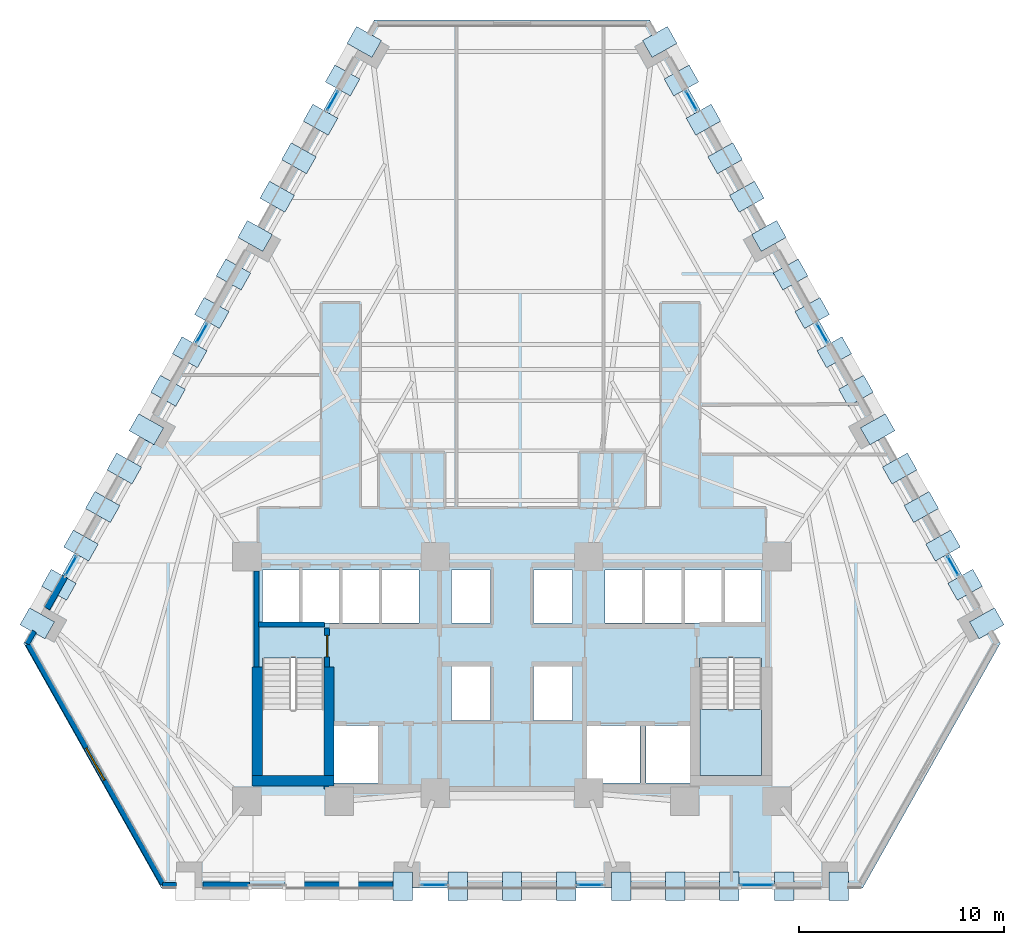
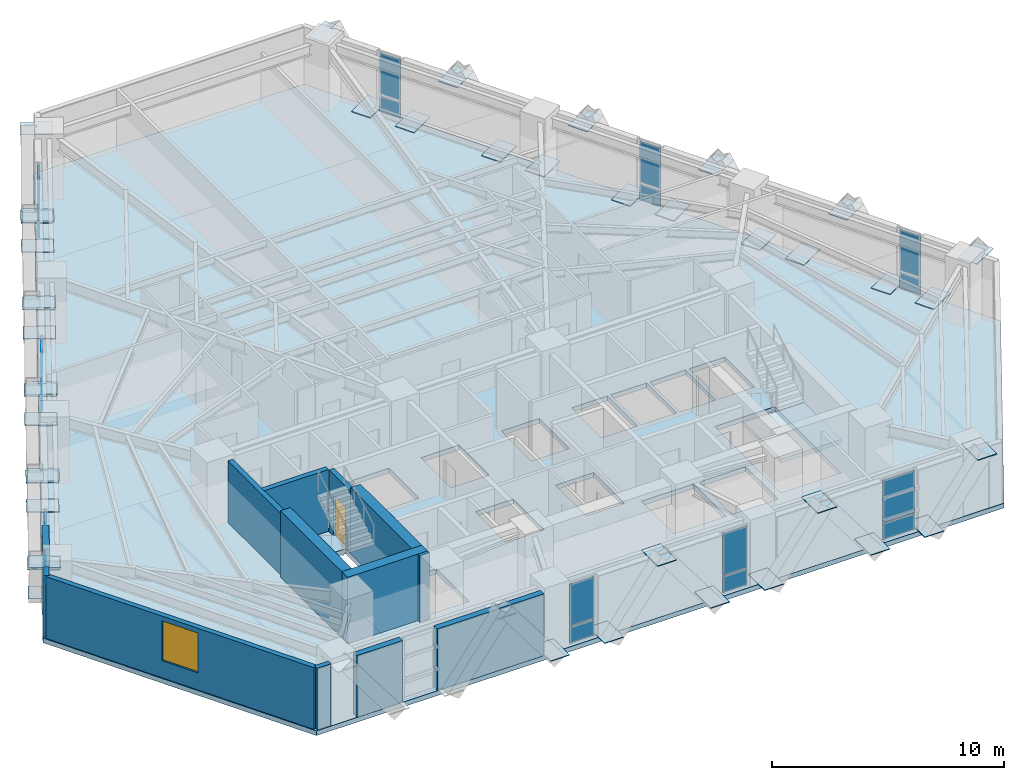
# One storey, part 6 of 13: 59 plates, 12 walls, 2 slabs, 1 door, 1 window, 2 openings, 10 elements without a shape of their own.
"""IFC4 building model written with IfcOpenShell, lengths in metres."""

from ifc_helpers import new_model, si_unit, direction, frame, frame_2d, origin, origin_2d, place, context, subcontext, project, spatial, polyline, rectangle, outline, extrude, material, layer, layer_set, type_object, element, fill, aggregate, save


model = new_model("IFC4")

# Units and contexts
model_context = context("Model", 3, precision=1e-05, world=origin(), true_north=direction((0.0, 1.0)))
body_context = subcontext(model_context, "Body", "Model", "MODEL_VIEW")
ifc_project = project(units=[si_unit("LENGTHUNIT", "METRE"), si_unit("AREAUNIT", "SQUARE_METRE"), si_unit("VOLUMEUNIT", "CUBIC_METRE"), si_unit("PLANEANGLEUNIT", "RADIAN"), si_unit("MASSUNIT", "GRAM", prefix="KILO")], contexts=[model_context])

# Site, building, storey
site_placement = place(None, origin())
site = spatial("IfcSite", under=ifc_project, at=site_placement, CompositionType="ELEMENT")
building_placement = place(site_placement, origin())
building = spatial("IfcBuilding", under=site, at=building_placement, Name="Quenlor Broadcast Tower", CompositionType="ELEMENT")
storey_placement = place(building_placement, frame((0.0, 0.0, 66.10009765625)))
storey = spatial("IfcBuildingStorey", under=building, at=storey_placement, Name="L17", CompositionType="ELEMENT", Elevation=66.10009765625)

# Curtain wall, plates
ifc_material_1 = material(Name="Architectural Terracotta and Low-E Glazing", Category="masonry")
curtain_wall_type = type_object("IfcCurtainWallType", Name="Unitised Terracotta Curtain Wall System Z1", PredefinedType="NOTDEFINED", material=ifc_material_1)
curtain_wall_1_placement = place(storey_placement, origin())
curtain_wall_1 = element("IfcCurtainWall", 1, at=curtain_wall_1_placement, inside=storey, type_object=curtain_wall_type, Name="L17 Curtain Wall CW1 (L17-SA-G1)", PredefinedType="NOTDEFINED")
ifc_material_2 = material(Name="Double Glazed Low-E Solar Glass", Category="glass")
ifc_layer_1 = layer(ifc_material_2, 0.031982421875)
ifc_layer_set_1 = layer_set([ifc_layer_1], Name="CW1 Double Glazed Vision Panel 32")
plate_type_1 = type_object("IfcPlateType", Name="CW1 Double Glazed Vision Panel 32", PredefinedType="CURTAIN_PANEL", material=ifc_layer_set_1)
plate_1_placement = place(storey_placement, frame((11.970703125, -20.840087890625, 0.079833984375), z_axis=(0.0, 0.0, 1.0), x_axis=(-1.0, 0.0, 0.0)))
plate_1 = element("IfcPlate", 2, at=plate_1_placement, type_object=plate_type_1, Name="CW1 panel 1.1", PredefinedType="CURTAIN_PANEL", context=body_context, shape_type="SweptSolid", body=[
    extrude(rectangle(XDim=1.568359375, YDim=0.031982421875, at=origin_2d()), origin(), (0.0, 0.0, 1.0), 0.830078125),
])
plate_2_placement = place(storey_placement, frame((11.970703125, -20.840087890625, 0.98974609375), z_axis=(0.0, 0.0, 1.0), x_axis=(-1.0, 0.0, 0.0)))
plate_2 = element("IfcPlate", 3, at=plate_2_placement, type_object=plate_type_1, Name="CW1 panel 1.2", PredefinedType="CURTAIN_PANEL", context=body_context, shape_type="SweptSolid", body=[
    extrude(rectangle(XDim=1.568359375, YDim=0.031982421875, at=origin_2d()), origin(), (0.0, 0.0, 1.0), 2.179931640625),
])
aggregate(curtain_wall_1, [plate_1, plate_2])

curtain_wall_2_placement = place(storey_placement, origin())
curtain_wall_2 = element("IfcCurtainWall", 4, at=curtain_wall_2_placement, inside=storey, type_object=curtain_wall_type, Name="L17 Curtain Wall CW1 (L17-S-G1)", PredefinedType="NOTDEFINED")
plate_3_placement = place(storey_placement, frame((3.81103515625, -20.840087890625, 0.079833984375), z_axis=(0.0, 0.0, 1.0), x_axis=(-1.0, 0.0, 0.0)))
plate_3 = element("IfcPlate", 5, at=plate_3_placement, type_object=plate_type_1, Name="CW1 panel 1.1", PredefinedType="CURTAIN_PANEL", context=body_context, shape_type="SweptSolid", body=[
    extrude(rectangle(XDim=1.209716796875, YDim=0.031982421875, at=origin_2d()), origin(), (0.0, 0.0, 1.0), 0.830078125),
])
plate_4_placement = place(storey_placement, frame((3.81103515625, -20.840087890625, 0.98974609375), z_axis=(0.0, 0.0, 1.0), x_axis=(-1.0, 0.0, 0.0)))
plate_4 = element("IfcPlate", 6, at=plate_4_placement, type_object=plate_type_1, Name="CW1 panel 1.2", PredefinedType="CURTAIN_PANEL", context=body_context, shape_type="SweptSolid", body=[
    extrude(rectangle(XDim=1.209716796875, YDim=0.031982421875, at=origin_2d()), origin(), (0.0, 0.0, 1.0), 2.179931640625),
])
aggregate(curtain_wall_2, [plate_3, plate_4])

curtain_wall_3_placement = place(storey_placement, origin())
curtain_wall_3 = element("IfcCurtainWall", 7, at=curtain_wall_3_placement, inside=storey, type_object=curtain_wall_type, Name="L17 Curtain Wall CW1 (L17-S-G2)", PredefinedType="NOTDEFINED")
plate_5_placement = place(storey_placement, frame((-3.81103515625, -20.840087890625, 0.079833984375), z_axis=(0.0, 0.0, 1.0), x_axis=(-1.0, 0.0, 0.0)))
plate_5 = element("IfcPlate", 8, at=plate_5_placement, type_object=plate_type_1, Name="CW1 panel 1.1", PredefinedType="CURTAIN_PANEL", context=body_context, shape_type="SweptSolid", body=[
    extrude(rectangle(XDim=1.209716796875, YDim=0.031982421875, at=origin_2d()), origin(), (0.0, 0.0, 1.0), 0.830078125),
])
plate_6_placement = place(storey_placement, frame((-3.81103515625, -20.840087890625, 0.98974609375), z_axis=(0.0, 0.0, 1.0), x_axis=(-1.0, 0.0, 0.0)))
plate_6 = element("IfcPlate", 9, at=plate_6_placement, type_object=plate_type_1, Name="CW1 panel 1.2", PredefinedType="CURTAIN_PANEL", context=body_context, shape_type="SweptSolid", body=[
    extrude(rectangle(XDim=1.209716796875, YDim=0.031982421875, at=origin_2d()), origin(), (0.0, 0.0, 1.0), 2.179931640625),
])
aggregate(curtain_wall_3, [plate_5, plate_6])

curtain_wall_4_placement = place(storey_placement, origin())
curtain_wall_4 = element("IfcCurtainWall", 10, at=curtain_wall_4_placement, inside=storey, type_object=curtain_wall_type, Name="L17 Curtain Wall CW1 (L17-NEA-G1)", PredefinedType="NOTDEFINED")
plate_7_placement = place(storey_placement, frame((8.766845703125, 17.48779296875, 0.079833984375), z_axis=(0.0, 0.0, 1.0), x_axis=(0.490214053392, -0.871602077703, 0.0)))
plate_7 = element("IfcPlate", 11, at=plate_7_placement, type_object=plate_type_1, Name="CW1 panel 1.1", PredefinedType="CURTAIN_PANEL", context=body_context, shape_type="SweptSolid", body=[
    extrude(rectangle(XDim=1.04736328125, YDim=0.031982421875, at=origin_2d()), origin(), (0.0, 0.0, 1.0), 0.830078125),
])
plate_8_placement = place(storey_placement, frame((8.766845703125, 17.48779296875, 0.98974609375), z_axis=(0.0, 0.0, 1.0), x_axis=(0.490214053392, -0.871602077703, 0.0)))
plate_8 = element("IfcPlate", 12, at=plate_8_placement, type_object=plate_type_1, Name="CW1 panel 1.2", PredefinedType="CURTAIN_PANEL", context=body_context, shape_type="SweptSolid", body=[
    extrude(rectangle(XDim=1.04736328125, YDim=0.031982421875, at=origin_2d()), origin(), (0.0, 0.0, 1.0), 2.179931640625),
])
aggregate(curtain_wall_4, [plate_7, plate_8])

curtain_wall_5_placement = place(storey_placement, origin())
curtain_wall_5 = element("IfcCurtainWall", 13, at=curtain_wall_5_placement, inside=storey, type_object=curtain_wall_type, Name="L17 Curtain Wall CW1 (L17-NEC-G1)", PredefinedType="NOTDEFINED")
plate_9_placement = place(storey_placement, frame((21.553955078125, -5.24462890625, 0.079833984375), z_axis=(0.0, 0.0, 1.0), x_axis=(0.490214053392, -0.871602077703, 0.0)))
plate_9 = element("IfcPlate", 14, at=plate_9_placement, type_object=plate_type_1, Name="CW1 panel 1.1", PredefinedType="CURTAIN_PANEL", context=body_context, shape_type="SweptSolid", body=[
    extrude(rectangle(XDim=1.04736328125, YDim=0.031982421875, at=origin_2d()), origin(), (0.0, 0.0, 1.0), 0.830078125),
])
plate_10_placement = place(storey_placement, frame((21.553955078125, -5.24462890625, 0.98974609375), z_axis=(0.0, 0.0, 1.0), x_axis=(0.490214053392, -0.871602077703, 0.0)))
plate_10 = element("IfcPlate", 15, at=plate_10_placement, type_object=plate_type_1, Name="CW1 panel 1.2", PredefinedType="CURTAIN_PANEL", context=body_context, shape_type="SweptSolid", body=[
    extrude(rectangle(XDim=1.04736328125, YDim=0.031982421875, at=origin_2d()), origin(), (0.0, 0.0, 1.0), 2.179931640625),
])
aggregate(curtain_wall_5, [plate_9, plate_10])

curtain_wall_6_placement = place(storey_placement, origin())
curtain_wall_6 = element("IfcCurtainWall", 16, at=curtain_wall_6_placement, inside=storey, type_object=curtain_wall_type, Name="L17 Curtain Wall CW1 (L17-NE-G1)", PredefinedType="NOTDEFINED")
plate_11_placement = place(storey_placement, frame((15.160400390625, 6.12158203125, 0.079833984375), z_axis=(0.0, 0.0, 1.0), x_axis=(0.49027696742, -0.871566690057, 0.0)))
plate_11 = element("IfcPlate", 17, at=plate_11_placement, type_object=plate_type_1, Name="CW1 panel 1.1", PredefinedType="CURTAIN_PANEL", context=body_context, shape_type="SweptSolid", body=[
    extrude(rectangle(XDim=1.04736328125, YDim=0.031982421875, at=origin_2d()), origin(), (0.0, 0.0, 1.0), 0.830078125),
])
plate_12_placement = place(storey_placement, frame((15.160400390625, 6.12158203125, 0.98974609375), z_axis=(0.0, 0.0, 1.0), x_axis=(0.49027696742, -0.871566690057, 0.0)))
plate_12 = element("IfcPlate", 18, at=plate_12_placement, type_object=plate_type_1, Name="CW1 panel 1.2", PredefinedType="CURTAIN_PANEL", context=body_context, shape_type="SweptSolid", body=[
    extrude(rectangle(XDim=1.04736328125, YDim=0.031982421875, at=origin_2d()), origin(), (0.0, 0.0, 1.0), 2.179931640625),
])
aggregate(curtain_wall_6, [plate_11, plate_12])

curtain_wall_7_placement = place(storey_placement, origin())
curtain_wall_7 = element("IfcCurtainWall", 19, at=curtain_wall_7_placement, inside=storey, type_object=curtain_wall_type, Name="L17 Curtain Wall CW1 (L17-NWA-G1)", PredefinedType="NOTDEFINED")
plate_13_placement = place(storey_placement, frame((-21.553955078125, -5.24462890625, 0.079833984375), z_axis=(0.0, 0.0, 1.0), x_axis=(0.490214053392, 0.871602077703, 0.0)))
plate_13 = element("IfcPlate", 20, at=plate_13_placement, type_object=plate_type_1, Name="CW1 panel 1.1", PredefinedType="CURTAIN_PANEL", context=body_context, shape_type="SweptSolid", body=[
    extrude(rectangle(XDim=1.04736328125, YDim=0.031982421875, at=origin_2d()), origin(), (0.0, 0.0, 1.0), 0.830078125),
])
plate_14_placement = place(storey_placement, frame((-21.553955078125, -5.24462890625, 0.98974609375), z_axis=(0.0, 0.0, 1.0), x_axis=(0.490214053392, 0.871602077703, 0.0)))
plate_14 = element("IfcPlate", 21, at=plate_14_placement, type_object=plate_type_1, Name="CW1 panel 1.2", PredefinedType="CURTAIN_PANEL", context=body_context, shape_type="SweptSolid", body=[
    extrude(rectangle(XDim=1.04736328125, YDim=0.031982421875, at=origin_2d()), origin(), (0.0, 0.0, 1.0), 2.179931640625),
])
aggregate(curtain_wall_7, [plate_13, plate_14])

curtain_wall_8_placement = place(storey_placement, origin())
curtain_wall_8 = element("IfcCurtainWall", 22, at=curtain_wall_8_placement, inside=storey, type_object=curtain_wall_type, Name="L17 Curtain Wall CW1 (L17-NWC-G1)", PredefinedType="NOTDEFINED")
plate_15_placement = place(storey_placement, frame((-8.766845703125, 17.48779296875, 0.079833984375), z_axis=(0.0, 0.0, 1.0), x_axis=(0.490214053392, 0.871602077703, 0.0)))
plate_15 = element("IfcPlate", 23, at=plate_15_placement, type_object=plate_type_1, Name="CW1 panel 1.1", PredefinedType="CURTAIN_PANEL", context=body_context, shape_type="SweptSolid", body=[
    extrude(rectangle(XDim=1.04736328125, YDim=0.031982421875, at=origin_2d()), origin(), (0.0, 0.0, 1.0), 0.830078125),
])
plate_16_placement = place(storey_placement, frame((-8.766845703125, 17.48779296875, 0.98974609375), z_axis=(0.0, 0.0, 1.0), x_axis=(0.490214053392, 0.871602077703, 0.0)))
plate_16 = element("IfcPlate", 24, at=plate_16_placement, type_object=plate_type_1, Name="CW1 panel 1.2", PredefinedType="CURTAIN_PANEL", context=body_context, shape_type="SweptSolid", body=[
    extrude(rectangle(XDim=1.04736328125, YDim=0.031982421875, at=origin_2d()), origin(), (0.0, 0.0, 1.0), 2.179931640625),
])
aggregate(curtain_wall_8, [plate_15, plate_16])

curtain_wall_9_placement = place(storey_placement, origin())
curtain_wall_9 = element("IfcCurtainWall", 25, at=curtain_wall_9_placement, inside=storey, type_object=curtain_wall_type, Name="L17 Curtain Wall CW1 (L17-NW-G1)", PredefinedType="NOTDEFINED")
plate_17_placement = place(storey_placement, frame((-15.160400390625, 6.12158203125, 0.079833984375), z_axis=(0.0, 0.0, 1.0), x_axis=(0.49027696742, 0.871566690057, 0.0)))
plate_17 = element("IfcPlate", 26, at=plate_17_placement, type_object=plate_type_1, Name="CW1 panel 1.1", PredefinedType="CURTAIN_PANEL", context=body_context, shape_type="SweptSolid", body=[
    extrude(rectangle(XDim=1.04736328125, YDim=0.031982421875, at=origin_2d()), origin(), (0.0, 0.0, 1.0), 0.830078125),
])
plate_18_placement = place(storey_placement, frame((-15.160400390625, 6.12158203125, 0.98974609375), z_axis=(0.0, 0.0, 1.0), x_axis=(0.49027696742, 0.871566690057, 0.0)))
plate_18 = element("IfcPlate", 27, at=plate_18_placement, type_object=plate_type_1, Name="CW1 panel 1.2", PredefinedType="CURTAIN_PANEL", context=body_context, shape_type="SweptSolid", body=[
    extrude(rectangle(XDim=1.04736328125, YDim=0.031982421875, at=origin_2d()), origin(), (0.0, 0.0, 1.0), 2.179931640625),
])
aggregate(curtain_wall_9, [plate_17, plate_18])

# Stair, slab
ifc_material_3 = material(Name="Precast concrete C40/50", Category="concrete")
stair_type = type_object("IfcStairType", Name="Precast Concrete C40/50 Dogleg Stair H350", PredefinedType="HALF_TURN_STAIR", material=ifc_material_3)
stair_placement = place(storey_placement, origin())
stair = element("IfcStair", 28, at=stair_placement, inside=storey, type_object=stair_type, Name="L17 East Core Fire-Isolated Exit Stair ST-2", PredefinedType="HALF_TURN_STAIR")
ifc_material_4 = material(Name="Precast concrete C40/50", Category="concrete")
ifc_layer_2 = layer(ifc_material_4, 0.199951171875)
ifc_layer_set_2 = layer_set([ifc_layer_2], Name="Precast Concrete C40/50 Stair Landing Slab 200")
slab_type_1 = type_object("IfcSlabType", Name="Precast Concrete C40/50 Stair Landing Slab 200", PredefinedType="LANDING", material=ifc_layer_set_2)
slab_1_placement = place(storey_placement, frame((0.0, 0.0, 1.5498046875)))
slab_1 = element("IfcSlab", 29, at=slab_1_placement, type_object=slab_type_1, Name="ST-2 landing 1", PredefinedType="LANDING", context=body_context, shape_type="SweptSolid", body=[
    extrude(outline(polyline([(9.199951171875, -12.27001953125), (9.199951171875, -15.5), (12.199951171875, -15.5), (12.199951171875, -12.27001953125), (9.199951171875, -12.27001953125)])), origin(), (0.0, 0.0, 1.0), 0.2001953125),
])
aggregate(stair, [slab_1])

# Slab
ifc_material_5 = material(Name="Concrete C40/50", Category="concrete")
ifc_layer_3 = layer(ifc_material_5, 0.25)
ifc_layer_set_3 = layer_set([ifc_layer_3], Name="Tower Composite Concrete C40/50 Slab 250")
slab_type_2 = type_object("IfcSlabType", Name="Tower Composite Concrete C40/50 Slab 250", PredefinedType="FLOOR", material=ifc_layer_set_3)
slab_2_placement = place(storey_placement, frame((0.0, 0.0, -0.25)))
element("IfcSlab", 30, at=slab_2_placement, inside=storey, type_object=slab_type_2, Name="L17 Structural Floor Slab", PredefinedType="FLOOR", context=body_context, shape_type="SweptSolid", body=[
    extrude(outline(polyline([(17.135986328125, -21.0), (23.867919921875, -9.031982421875), (6.73193359375, 21.431884765625), (-6.73193359375, 21.431884765625), (-23.867919921875, -9.031982421875), (-17.135986328125, -21.0), (17.135986328125, -21.0)]), holes=[polyline([(-12.199951171875, -9.758056640625), (-12.199951171875, -15.5), (-9.199951171875, -15.5), (-9.199951171875, -9.758056640625), (-12.199951171875, -9.758056640625)]), polyline([(9.199951171875, -9.758056640625), (9.199951171875, -15.5), (12.199951171875, -15.5), (12.199951171875, -9.758056640625), (9.199951171875, -9.758056640625)]), polyline([(-12.199951171875, -8.050048828125), (-10.39990234375, -8.050048828125), (-10.39990234375, -5.449951171875), (-12.199951171875, -5.449951171875), (-12.199951171875, -8.050048828125)]), polyline([(-10.25, -8.050048828125), (-8.449951171875, -8.050048828125), (-8.449951171875, -5.449951171875), (-10.25, -5.449951171875), (-10.25, -8.050048828125)]), polyline([(-8.300048828125, -8.050048828125), (-6.5, -8.050048828125), (-6.5, -5.449951171875), (-8.300048828125, -5.449951171875), (-8.300048828125, -8.050048828125)]), polyline([(-6.35009765625, -8.050048828125), (-4.550048828125, -8.050048828125), (-4.550048828125, -5.449951171875), (-6.35009765625, -5.449951171875), (-6.35009765625, -8.050048828125)]), polyline([(-2.949951171875, -8.050048828125), (-1.050048828125, -8.050048828125), (-1.050048828125, -5.449951171875), (-2.949951171875, -5.449951171875), (-2.949951171875, -8.050048828125)]), polyline([(1.050048828125, -8.050048828125), (2.949951171875, -8.050048828125), (2.949951171875, -5.449951171875), (1.050048828125, -5.449951171875), (1.050048828125, -8.050048828125)]), polyline([(-2.949951171875, -12.800048828125), (-1.050048828125, -12.800048828125), (-1.050048828125, -10.14990234375), (-2.949951171875, -10.14990234375), (-2.949951171875, -12.800048828125)]), polyline([(1.050048828125, -12.800048828125), (2.949951171875, -12.800048828125), (2.949951171875, -10.14990234375), (1.050048828125, -10.14990234375), (1.050048828125, -12.800048828125)]), polyline([(4.550048828125, -8.050048828125), (6.35009765625, -8.050048828125), (6.35009765625, -5.449951171875), (4.550048828125, -5.449951171875), (4.550048828125, -8.050048828125)]), polyline([(6.5, -8.050048828125), (8.300048828125, -8.050048828125), (8.300048828125, -5.449951171875), (6.5, -5.449951171875), (6.5, -8.050048828125)]), polyline([(8.449951171875, -8.050048828125), (10.25, -8.050048828125), (10.25, -5.449951171875), (8.449951171875, -5.449951171875), (8.449951171875, -8.050048828125)]), polyline([(10.39990234375, -8.050048828125), (12.199951171875, -8.050048828125), (12.199951171875, -5.449951171875), (10.39990234375, -5.449951171875), (10.39990234375, -8.050048828125)]), polyline([(-8.85009765625, -15.85009765625), (-6.550048828125, -15.85009765625), (-6.550048828125, -13.050048828125), (-8.85009765625, -13.050048828125), (-8.85009765625, -15.85009765625)]), polyline([(6.550048828125, -15.85009765625), (8.85009765625, -15.85009765625), (8.85009765625, -13.050048828125), (6.550048828125, -13.050048828125), (6.550048828125, -15.85009765625)]), polyline([(3.64990234375, -15.85009765625), (6.25, -15.85009765625), (6.25, -13.050048828125), (3.64990234375, -13.050048828125), (3.64990234375, -15.85009765625)])]), origin(), (0.0, 0.0, 1.0), 0.25),
])

# Plates
ifc_material_6 = material(Name="Steel S355", Category="steel")
ifc_layer_4 = layer(ifc_material_6, 0.035888671875)
ifc_layer_set_4 = layer_set([ifc_layer_4], Name="Transfer Truss Steel S355 Gusset Node Plate 1400x950x36")
plate_type_2 = type_object("IfcPlateType", Name="Transfer Truss Steel S355 Gusset Node Plate 1400x950x36", PredefinedType="SHEET", material=ifc_layer_set_4)
for number, where, z_axis, x_axis, name in (
    (31, (10.624755859375, -20.89990234375, 0.0419921875), (0.0, 0.0, 1.0), (0.0, -1.0, 0.0), "L17 Lattice Tie Gusset Node S-B2"),
    (32, (7.98046875, -20.89990234375, 3.18212890625), (0.0, 0.0, 1.0), (0.0, -1.0, 0.0), "L17 Lattice Tie Gusset Node S-T3"),
    (33, (13.31689453125, -20.89990234375, 0.0419921875), (0.0, 0.0, 1.0), (0.0, -1.0, 0.0), "L17 Lattice Tie Gusset Node S-B1"),
    (34, (15.9609375, -20.89990234375, 3.18212890625), (0.0, 0.0, 1.0), (0.0, -1.0, 0.0), "L17 Lattice Tie Gusset Node S-T0"),
    (35, (2.644287109375, -20.89990234375, 0.0419921875), (0.0, 0.0, 1.0), (0.0, -1.0, 0.0), "L17 Lattice Tie Gusset Node S-B5"),
    (36, (0.0, -20.89990234375, 3.18212890625), (0.0, 0.0, 1.0), (0.0, -1.0, 0.0), "L17 Lattice Tie Gusset Node S-T6"),
    (37, (5.336181640625, -20.89990234375, 0.0419921875), (0.0, 0.0, 1.0), (0.0, -1.0, 0.0), "L17 Lattice Tie Gusset Node S-B4"),
    (38, (-5.336181640625, -20.89990234375, 0.0419921875), (0.0, 0.0, 1.0), (0.0, -1.0, 0.0), "L17 Lattice Tie Gusset Node S-B8"),
    (39, (-2.644287109375, -20.89990234375, 0.0419921875), (0.0, 0.0, 1.0), (0.0, -1.0, 0.0), "L17 Lattice Tie Gusset Node S-B7"),
    (40, (9.3583984375, 16.558837890625, 0.0419921875), (0.0, 0.0, 1.0), (0.871556314255, 0.490295412055, 0.0), "L17 Lattice Tie Gusset Node NE-B2"),
    (41, (10.41748046875, 14.67578125, 3.18212890625), (0.0, 0.0, 1.0), (0.871556314255, 0.490295412055, 0.0), "L17 Lattice Tie Gusset Node NE-T3"),
    (42, (8.280029296875, 18.475830078125, 0.0419921875), (0.0, 0.0, 1.0), (0.871556314255, 0.490295412055, 0.0), "L17 Lattice Tie Gusset Node NE-B1"),
    (43, (7.220947265625, 20.35888671875, 3.18212890625), (0.0, 0.0, 1.0), (0.871556314255, 0.490295412055, 0.0), "L17 Lattice Tie Gusset Node NE-T0"),
    (44, (12.55517578125, 10.87548828125, 0.0419921875), (0.0, 0.0, 1.0), (0.871556314255, 0.490295412055, 0.0), "L17 Lattice Tie Gusset Node NE-B5"),
    (45, (13.614501953125, 8.99267578125, 3.18212890625), (0.0, 0.0, 1.0), (0.871556314255, 0.490295412055, 0.0), "L17 Lattice Tie Gusset Node NE-T6"),
    (46, (11.476806640625, 12.792724609375, 0.0419921875), (0.0, 0.0, 1.0), (0.871556314255, 0.490295412055, 0.0), "L17 Lattice Tie Gusset Node NE-B4"),
    (47, (15.751953125, 5.1923828125, 0.0419921875), (0.0, 0.0, 1.0), (0.871556314255, 0.490295412055, 0.0), "L17 Lattice Tie Gusset Node NE-B8"),
    (48, (16.811279296875, 3.309326171875, 3.18212890625), (0.0, 0.0, 1.0), (0.871556314255, 0.490295412055, 0.0), "L17 Lattice Tie Gusset Node NE-T9"),
    (49, (14.673583984375, 7.109619140625, 0.0419921875), (0.0, 0.0, 1.0), (0.871556314255, 0.490295412055, 0.0), "L17 Lattice Tie Gusset Node NE-B7"),
    (50, (18.94873046875, -0.49072265625, 0.0419921875), (0.0, 0.0, 1.0), (0.871556314255, 0.490295412055, 0.0), "L17 Lattice Tie Gusset Node NE-B11"),
    (51, (20.008056640625, -2.373779296875, 3.18212890625), (0.0, 0.0, 1.0), (0.871556314255, 0.490295412055, 0.0), "L17 Lattice Tie Gusset Node NE-T12"),
    (52, (17.870361328125, 1.426513671875, 0.0419921875), (0.0, 0.0, 1.0), (0.871556314255, 0.490295412055, 0.0), "L17 Lattice Tie Gusset Node NE-B10"),
    (53, (22.1455078125, -6.173828125, 0.0419921875), (0.0, 0.0, 1.0), (0.871556314255, 0.490295412055, 0.0), "L17 Lattice Tie Gusset Node NE-B14"),
    (54, (23.20458984375, -8.056884765625, 3.18212890625), (0.0, 0.0, 1.0), (0.871556314255, 0.490295412055, 0.0), "L17 Lattice Tie Gusset Node NE-T15"),
    (55, (21.067138671875, -4.256591796875, 0.0419921875), (0.0, 0.0, 1.0), (0.871556314255, 0.490295412055, 0.0), "L17 Lattice Tie Gusset Node NE-B13"),
    (56, (-21.067138671875, -4.256591796875, 0.0419921875), (0.0, 0.0, 1.0), (-0.871556314255, 0.490295412055, 0.0), "L17 Lattice Tie Gusset Node NW-B2"),
    (57, (-20.008056640625, -2.373779296875, 3.18212890625), (0.0, 0.0, 1.0), (-0.871556314255, 0.490295412055, 0.0), "L17 Lattice Tie Gusset Node NW-T3"),
    (58, (-22.1455078125, -6.173828125, 0.0419921875), (0.0, 0.0, 1.0), (-0.871556314255, 0.490295412055, 0.0), "L17 Lattice Tie Gusset Node NW-B1"),
    (59, (-23.20458984375, -8.056884765625, 3.18212890625), (0.0, 0.0, 1.0), (-0.871556314255, 0.490295412055, 0.0), "L17 Lattice Tie Gusset Node NW-T0"),
    (60, (-17.870361328125, 1.426513671875, 0.0419921875), (0.0, 0.0, 1.0), (-0.871556314255, 0.490295412055, 0.0), "L17 Lattice Tie Gusset Node NW-B5"),
    (61, (-16.811279296875, 3.309326171875, 3.18212890625), (0.0, 0.0, 1.0), (-0.871556314255, 0.490295412055, 0.0), "L17 Lattice Tie Gusset Node NW-T6"),
    (62, (-18.94873046875, -0.49072265625, 0.0419921875), (0.0, 0.0, 1.0), (-0.871556314255, 0.490295412055, 0.0), "L17 Lattice Tie Gusset Node NW-B4"),
    (63, (-14.673583984375, 7.109619140625, 0.0419921875), (0.0, 0.0, 1.0), (-0.871556314255, 0.490295412055, 0.0), "L17 Lattice Tie Gusset Node NW-B8"),
    (64, (-13.614501953125, 8.99267578125, 3.18212890625), (0.0, 0.0, 1.0), (-0.871556314255, 0.490295412055, 0.0), "L17 Lattice Tie Gusset Node NW-T9"),
    (65, (-15.751953125, 5.1923828125, 0.0419921875), (0.0, 0.0, 1.0), (-0.871556314255, 0.490295412055, 0.0), "L17 Lattice Tie Gusset Node NW-B7"),
    (66, (-11.476806640625, 12.792724609375, 0.0419921875), (0.0, 0.0, 1.0), (-0.871556314255, 0.490295412055, 0.0), "L17 Lattice Tie Gusset Node NW-B11"),
    (67, (-10.41748046875, 14.67578125, 3.18212890625), (0.0, 0.0, 1.0), (-0.871556314255, 0.490295412055, 0.0), "L17 Lattice Tie Gusset Node NW-T12"),
    (68, (-12.55517578125, 10.87548828125, 0.0419921875), (0.0, 0.0, 1.0), (-0.871556314255, 0.490295412055, 0.0), "L17 Lattice Tie Gusset Node NW-B10"),
    (69, (-8.280029296875, 18.475830078125, 0.0419921875), (0.0, 0.0, 1.0), (-0.871556314255, 0.490295412055, 0.0), "L17 Lattice Tie Gusset Node NW-B14"),
    (70, (-7.220947265625, 20.35888671875, 3.18212890625), (0.0, 0.0, 1.0), (-0.871556314255, 0.490295412055, 0.0), "L17 Lattice Tie Gusset Node NW-T15"),
    (71, (-9.3583984375, 16.558837890625, 0.0419921875), (0.0, 0.0, 1.0), (-0.871556314255, 0.490295412055, 0.0), "L17 Lattice Tie Gusset Node NW-B13"),
):
    element("IfcPlate", number, at=place(storey_placement, frame(where, z_axis=z_axis, x_axis=x_axis)), inside=storey, type_object=plate_type_2, Name=name, PredefinedType="SHEET", context=body_context, shape_type="SweptSolid", body=[
        extrude(rectangle(XDim=1.39990234375, YDim=0.949951171875, at=origin_2d()), origin(), (0.0, 0.0, 1.0), 0.035888671875),
    ])

# Walls
ifc_material_7 = material(Name="Concrete C65/80", Category="concrete")
ifc_layer_5 = layer(ifc_material_7, 0.5)
ifc_layer_set_5 = layer_set([ifc_layer_5], Name="Core Concrete C65/80 Shear Wall 500")
wall_type_1 = type_object("IfcWallType", Name="Core Concrete C65/80 Shear Wall 500", PredefinedType="SHEAR", material=ifc_layer_set_5)
wall_1_placement = place(storey_placement, frame((-12.699951171875, -15.75, 0.0), z_axis=(0.0, 0.0, 1.0), x_axis=(1.0, 0.0, 0.0)))
element("IfcWall", 72, at=wall_1_placement, inside=storey, type_object=wall_type_1, Name="L17 Core Shear Wall WS-W1", PredefinedType="SHEAR", context=body_context, shape_type="SweptSolid", body=[
    extrude(rectangle(XDim=4.0, YDim=0.5, at=frame_2d((2.0, 0.0))), origin(), (0.0, 0.0, 1.0), 3.5),
])
wall_2_placement = place(storey_placement, frame((-12.449951171875, -15.75, 0.0), z_axis=(0.0, 0.0, 1.0), x_axis=(0.0, 1.0, 0.0)))
element("IfcWall", 73, at=wall_2_placement, inside=storey, type_object=wall_type_1, Name="L17 Core Shear Wall WF-W", PredefinedType="SHEAR", context=body_context, shape_type="SweptSolid", body=[
    extrude(rectangle(XDim=5.550048828125, YDim=0.5, at=frame_2d((2.77490234375, 0.0))), origin(), (0.0, 0.0, 1.0), 3.5),
])
wall_3_placement = place(storey_placement, frame((-8.949951171875, -16.14990234375, 0.0), z_axis=(0.0, 0.0, 1.0), x_axis=(0.0, 1.0, 0.0)))
element("IfcWall", 74, at=wall_3_placement, inside=storey, type_object=wall_type_1, Name="L17 Core Shear Wall WI-W", PredefinedType="SHEAR", context=body_context, shape_type="SweptSolid", body=[
    extrude(rectangle(XDim=5.949951171875, YDim=0.5, at=frame_2d((2.97509765625, 0.0))), origin(), (0.0, 0.0, 1.0), 3.5),
])

# Wall, opening, door
ifc_material_8 = material(Name="Concrete C40/50", Category="concrete")
ifc_layer_6 = layer(ifc_material_8, 0.25)
ifc_layer_set_6 = layer_set([ifc_layer_6], Name="Fire Rated Concrete C40/50 Core Wall 250")
wall_type_2 = type_object("IfcWallType", Name="Fire Rated Concrete C40/50 Core Wall 250", PredefinedType="PARTITIONING", material=ifc_layer_set_6)
wall_4_placement = place(storey_placement, frame((-9.0400390625, -10.179931640625, 0.0), z_axis=(0.0, 0.0, 1.0), x_axis=(0.0, 1.0, 0.0)))
wall_4 = element("IfcWall", 75, at=wall_4_placement, inside=storey, type_object=wall_type_2, Name="L17 Interior Wall CW-ST1-DR", PredefinedType="PARTITIONING", context=body_context, shape_type="SweptSolid", body=[
    extrude(rectangle(XDim=1.89990234375, YDim=0.25, at=frame_2d((0.949951171875, 0.0))), origin(), (0.0, 0.0, 1.0), 3.25),
])
opening_1_placement = place(wall_4_placement, frame((0.47998046875, 0.0, 0.0)))
opening_1 = element("IfcOpeningElement", 76, at=opening_1_placement, cuts=wall_4, Name="Opening FD-1", PredefinedType="OPENING", context=body_context, shape_type="SweptSolid", body=[
    extrude(rectangle(XDim=1.050048828125, YDim=2.14990234375, at=frame_2d((0.52490234375, 1.074951171875))), frame((0.0, 0.135009765625, 0.0), z_axis=(0.0, -1.0, 0.0), x_axis=(1.0, 0.0, 0.0)), (0.0, 0.0, 1.0), 0.27001953125),
])
ifc_material_9 = material(Name="Fire Rated Steel Door Leaf", Category="steel")
door_type = type_object("IfcDoorType", Name="Fire Isolated Stair Door 1050x2150", OperationType="NOTDEFINED", PredefinedType="DOOR", material=ifc_material_9)
door_placement = place(opening_1_placement, origin())
door = element("IfcDoor", 77, at=door_placement, inside=storey, type_object=door_type, Name="L17 Door DR-ST1", OperationType="SINGLE_SWING_LEFT", OverallHeight=2.14990234375, OverallWidth=1.050048828125, PredefinedType="DOOR", context=body_context, shape_type="SweptSolid", body=[
    extrude(rectangle(XDim=1.050048828125, YDim=2.14990234375, at=frame_2d((0.52490234375, 1.074951171875))), frame((0.0, 0.02490234375, 0.0), z_axis=(0.0, -1.0, 0.0), x_axis=(1.0, 0.0, 0.0)), (0.0, 0.0, 1.0), 0.050048828125),
])
fill(opening_1, door)

# Walls
wall_5_placement = place(storey_placement, frame((-12.3798828125, -8.1201171875, 0.0), z_axis=(0.0, 0.0, 1.0), x_axis=(1.0, 0.0, 0.0)))
element("IfcWall", 78, at=wall_5_placement, inside=storey, type_object=wall_type_2, Name="L17 Interior Wall CW-ST1-N", PredefinedType="PARTITIONING", context=body_context, shape_type="SweptSolid", body=[
    extrude(rectangle(XDim=3.219970703125, YDim=0.25, at=frame_2d((1.60986328125, 0.0))), origin(), (0.0, 0.0, 1.0), 3.25),
])
wall_6_placement = place(storey_placement, frame((-12.47998046875, -10.179931640625, 0.0), z_axis=(0.0, 0.0, 1.0), x_axis=(0.0, 1.0, 0.0)))
element("IfcWall", 79, at=wall_6_placement, inside=storey, type_object=wall_type_2, Name="L17 Interior Wall CW-ST1-W2", PredefinedType="PARTITIONING", context=body_context, shape_type="SweptSolid", body=[
    extrude(rectangle(XDim=4.677978515625, YDim=0.25, at=frame_2d((2.3388671875, 0.0))), origin(), (0.0, 0.0, 1.0), 3.25),
])
ifc_material_10 = material(Name="Precast concrete C40/50", Category="concrete")
ifc_layer_7 = layer(ifc_material_10, 0.239990234375)
ifc_layer_set_7 = layer_set([ifc_layer_7], Name="Terrace Threshold Precast Concrete C40/50 Wall 240")
wall_type_3 = type_object("IfcWallType", Name="Terrace Threshold Precast Concrete C40/50 Wall 240", PredefinedType="STANDARD", material=ifc_layer_set_7)
wall_7_placement = place(storey_placement, frame((-16.39501953125, -20.840087890625, 0.0), z_axis=(0.0, 0.0, 1.0), x_axis=(-1.0, 0.0, 0.0)))
element("IfcWall", 80, at=wall_7_placement, inside=storey, type_object=wall_type_3, Name="L17 Exterior Wall L17-SHD-SS1", PredefinedType="STANDARD", context=body_context, shape_type="SweptSolid", body=[
    extrude(rectangle(XDim=0.680908203125, YDim=0.239990234375, at=frame_2d((0.34033203125, 0.0))), origin(), (0.0, 0.0, 1.0), 3.25),
])
wall_8_placement = place(storey_placement, frame((-23.69921875, -9.05810546875, 0.0), z_axis=(0.0, 0.0, 1.0), x_axis=(0.490523074758, 0.871428203084, 0.0)))
element("IfcWall", 81, at=wall_8_placement, inside=storey, type_object=wall_type_3, Name="L17 Exterior Wall L17-SHD-NWS0", PredefinedType="STANDARD", context=body_context, shape_type="SweptSolid", body=[
    extrude(rectangle(XDim=0.708251953125, YDim=0.239990234375, at=frame_2d((0.35400390625, 0.0))), origin(), (0.0, 0.0, 1.0), 3.25),
])

# Wall, opening, window
wall_9_placement = place(storey_placement, frame((-23.659912109375, -9.07568359375, 0.0), z_axis=(0.0, 0.0, 1.0), x_axis=(0.490268135177, -0.871571658345, 0.0)))
wall_9 = element("IfcWall", 82, at=wall_9_placement, inside=storey, type_object=wall_type_3, Name="L17 Exterior Wall L17-CNR-04", PredefinedType="STANDARD", context=body_context, shape_type="SweptSolid", body=[
    extrude(rectangle(XDim=13.44775390625, YDim=0.239990234375, at=frame_2d((6.723876953125, 0.0))), origin(), (0.0, 0.0, 1.0), 3.25),
])
opening_2_placement = place(wall_9_placement, frame((5.823974609375, 0.0, 0.89990234375)))
opening_2 = element("IfcOpeningElement", 83, at=opening_2_placement, cuts=wall_9, Name="Opening WN-1", PredefinedType="OPENING", context=body_context, shape_type="SweptSolid", body=[
    extrude(rectangle(XDim=1.800048828125, YDim=2.10009765625, at=frame_2d((0.89990234375, 1.050048828125))), frame((0.0, 0.1298828125, 0.0), z_axis=(0.0, -1.0, 0.0), x_axis=(1.0, 0.0, 0.0)), (0.0, 0.0, 1.0), 0.260009765625),
])
ifc_material_11 = material(Name="Thermally Broken Aluminium and Low-E Glass", Category="aluminium")
window_type = type_object("IfcWindowType", Name="Tower Acoustic Vision Window 1800x2100", PartitioningType="SINGLE_PANEL", PredefinedType="WINDOW", material=ifc_material_11)
window_placement = place(opening_2_placement, origin())
window = element("IfcWindow", 84, at=window_placement, inside=storey, type_object=window_type, Name="L17 Corner Chamfer Window 4", OverallHeight=2.10009765625, OverallWidth=1.800048828125, PartitioningType="SINGLE_PANEL", PredefinedType="WINDOW", context=body_context, shape_type="SweptSolid", body=[
    extrude(rectangle(XDim=1.800048828125, YDim=2.10009765625, at=frame_2d((0.89990234375, 1.050048828125))), frame((0.0, 0.030029296875, 0.0), z_axis=(0.0, -1.0, 0.0), x_axis=(1.0, 0.0, 0.0)), (0.0, 0.0, 1.0), 0.06005859375),
])
fill(opening_2, window)

# Walls
ifc_material_12 = material(Name="Precast concrete C40/50", Category="concrete")
ifc_layer_8 = layer(ifc_material_12, 0.300048828125)
ifc_layer_set_8 = layer_set([ifc_layer_8], Name="Terracotta Precast Concrete C40/50 Spandrel Wall 300")
wall_type_4 = type_object("IfcWallType", Name="Terracotta Precast Concrete C40/50 Spandrel Wall 300", PredefinedType="STANDARD", material=ifc_layer_set_8)
wall_10_placement = place(storey_placement, frame((-5.790771484375, -20.840087890625, 0.0), z_axis=(0.0, 0.0, 1.0), x_axis=(-1.0, 0.0, 0.0)))
element("IfcWall", 85, at=wall_10_placement, inside=storey, type_object=wall_type_4, Name="L17 Exterior Wall L17-SC-SP1", PredefinedType="STANDARD", context=body_context, shape_type="SweptSolid", body=[
    extrude(rectangle(XDim=5.31591796875, YDim=0.300048828125, at=frame_2d((2.657958984375, 0.0))), origin(), (0.0, 0.0, 1.0), 3.25),
])
wall_11_placement = place(storey_placement, frame((-12.8349609375, -20.840087890625, 0.0), z_axis=(0.0, 0.0, 1.0), x_axis=(-1.0, 0.0, 0.0)))
element("IfcWall", 86, at=wall_11_placement, inside=storey, type_object=wall_type_4, Name="L17 Exterior Wall L17-SC-SP2", PredefinedType="STANDARD", context=body_context, shape_type="SweptSolid", body=[
    extrude(rectangle(XDim=2.280029296875, YDim=0.300048828125, at=frame_2d((1.14013671875, 0.0))), origin(), (0.0, 0.0, 1.0), 3.25),
])
wall_12_placement = place(storey_placement, frame((-22.724365234375, -7.3251953125, 0.0), z_axis=(0.0, 0.0, 1.0), x_axis=(0.490274239922, 0.871568224334, 0.0)))
element("IfcWall", 87, at=wall_12_placement, inside=storey, type_object=wall_type_4, Name="L17 Exterior Wall L17-NWA-SP1", PredefinedType="STANDARD", context=body_context, shape_type="SweptSolid", body=[
    extrude(rectangle(XDim=1.783203125, YDim=0.300048828125, at=frame_2d((0.8916015625, 0.0))), origin(), (0.0, 0.0, 1.0), 3.25),
])

save(model, "model.ifc")
